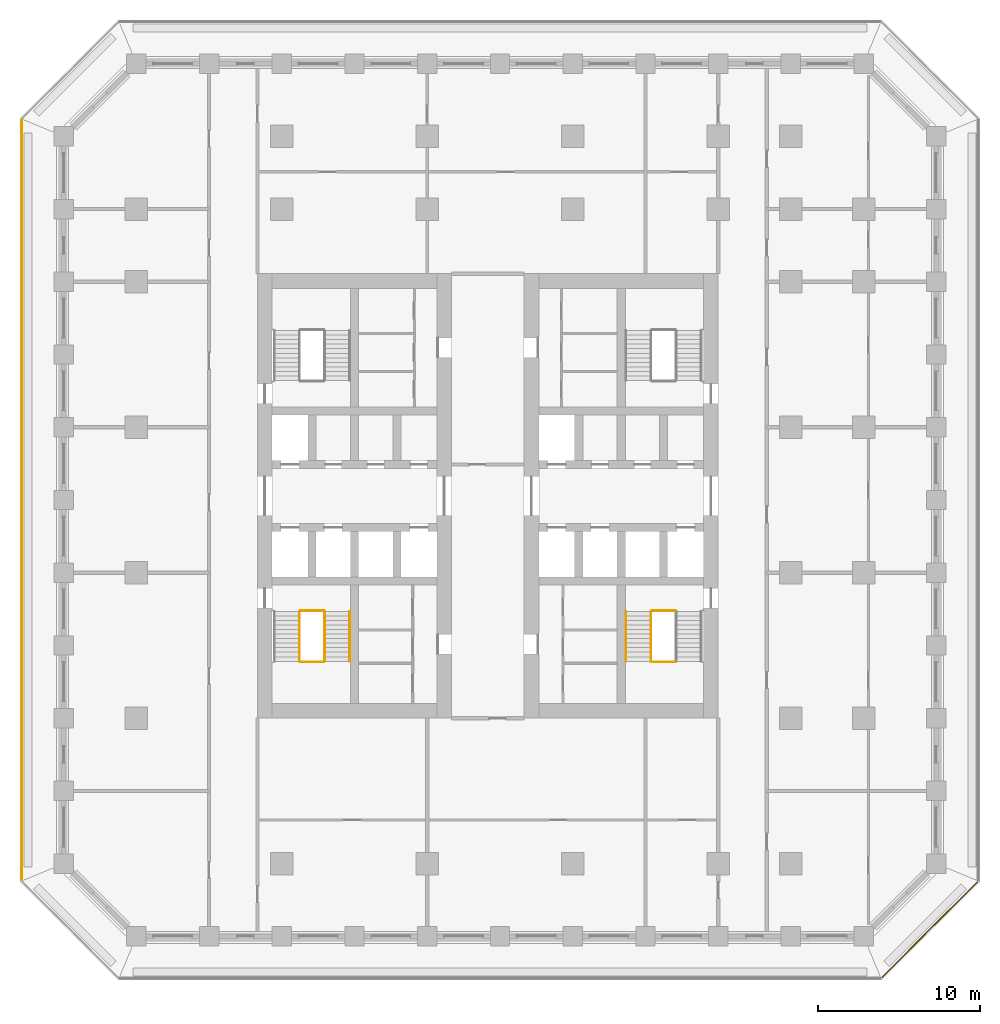
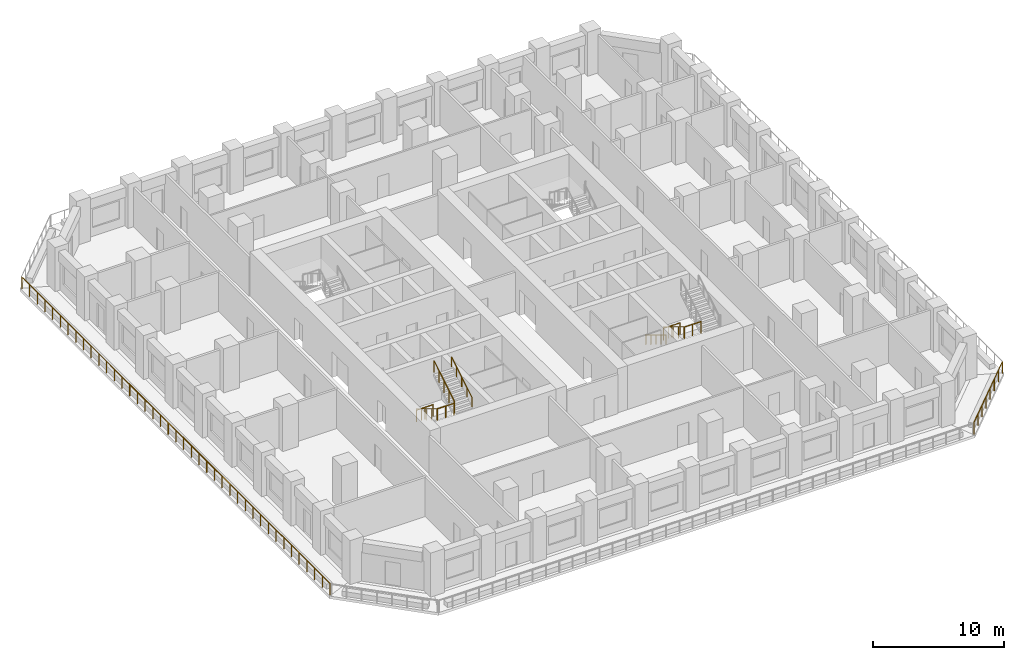
# One storey, part 11 of 17: 11 railings.
"""IFC4 building model written with IfcOpenShell, lengths in metres."""

import ifcopenshell
import ifcopenshell.guid

model = None  # the IFC model being written
_history = None  # IfcOwnerHistory: only IFC2X3 demands one
_inside = {}  # id of a spatial element -> (the spatial element, [elements in it])
_under = {}  # id of a project, library or spatial element -> (it, [spatial elements below it])
_declared = {}  # id of a project -> (the project, [libraries it declares])
_typed = {}  # id of a type object -> (the type object, [elements of that type])
_made_of = {}  # id of a material, layer set ... -> (it, [elements and type objects made of it])


def new_model(schema):
    """Start an empty IFC model of exactly this schema.

    Asked for "IFC4X3", IfcOpenShell would pick the latest addendum, in which some entities
    have other attributes; the version numbers below select the first issue.
    IFC2X3 requires an IfcOwnerHistory on every rooted entity: one is made here for all.
    """
    global model, _history
    if schema == "IFC4X3":
        model = ifcopenshell.file(schema_version=(4, 3, 0, 0))
    else:
        model = ifcopenshell.file(schema=schema)
    _inside.clear()
    _under.clear()
    _declared.clear()
    _typed.clear()
    _made_of.clear()
    _history = None
    if model.schema == "IFC2X3":
        org = make("IfcOrganization", Name="unknown")
        user = make(
            "IfcPersonAndOrganization",
            ThePerson=make("IfcPerson", FamilyName="unknown"),
            TheOrganization=org,
        )
        app = make(
            "IfcApplication",
            ApplicationDeveloper=org,
            Version="unknown",
            ApplicationFullName="unknown",
            ApplicationIdentifier="unknown",
        )
        _history = make(
            "IfcOwnerHistory",
            OwningUser=user,
            OwningApplication=app,
            ChangeAction="ADDED",
            CreationDate=0,
        )
    return model


def make(cls, **values):
    """One entity of the class cls with the attributes given. An attribute that is None is left unset."""
    return model.create_entity(
        cls, **{name: value for name, value in values.items() if value is not None}
    )


def rooted(cls, **values):
    """An entity with a GlobalId (a new one), such as an element, a storey or a relation."""
    return make(cls, GlobalId=ifcopenshell.guid.new(), OwnerHistory=_history, **values)


def si_unit(unit_type, name, prefix=None):
    """IfcSIUnit, for example si_unit("LENGTHUNIT", "METRE", prefix="MILLI")."""
    return make("IfcSIUnit", UnitType=unit_type, Prefix=prefix, Name=name)


def assignment(units):
    """IfcUnitAssignment: the units of a project."""
    return None if units is None else make("IfcUnitAssignment", Units=units)


def point(xyz):
    """IfcCartesianPoint."""
    return None if xyz is None else make("IfcCartesianPoint", Coordinates=xyz)


def direction(xyz):
    """IfcDirection."""
    return None if xyz is None else make("IfcDirection", DirectionRatios=xyz)


def frame(location, z_axis=None, x_axis=None):
    """IfcAxis2Placement3D, a coordinate frame: its origin and axes. An axis left out is left unset."""
    return make(
        "IfcAxis2Placement3D",
        Location=point(location),
        Axis=direction(z_axis),
        RefDirection=direction(x_axis),
    )


def frame_2d(location, x_axis=None):
    """IfcAxis2Placement2D, a coordinate frame in the plane: its origin and x axis."""
    return make(
        "IfcAxis2Placement2D", Location=point(location), RefDirection=direction(x_axis)
    )


def origin():
    """The frame at (0, 0, 0) with its axes left unset."""
    return frame((0.0, 0.0, 0.0))


def origin_2d():
    """The frame at (0, 0) in the plane with its x axis left unset."""
    return frame_2d((0.0, 0.0))


def place(relative_to, where):
    """IfcLocalPlacement: puts the frame where relative to a parent placement (None: the world)."""
    return make(
        "IfcLocalPlacement", PlacementRelTo=relative_to, RelativePlacement=where
    )


def context(
    kind, dimensions, precision=None, world=None, true_north=None, identifier=None
):
    """IfcGeometricRepresentationContext, for example the 3D "Model" context."""
    return make(
        "IfcGeometricRepresentationContext",
        ContextIdentifier=identifier,
        ContextType=kind,
        CoordinateSpaceDimension=dimensions,
        Precision=precision,
        WorldCoordinateSystem=world,
        TrueNorth=true_north,
    )


def subcontext(parent, identifier, kind, view, scale=None):
    """IfcGeometricRepresentationSubContext, for example "Body" below "Model"."""
    return make(
        "IfcGeometricRepresentationSubContext",
        ContextIdentifier=identifier,
        ContextType=kind,
        ParentContext=parent,
        TargetScale=scale,
        TargetView=view,
    )


def project(units=None, contexts=None):
    """IfcProject with its units and contexts."""
    return rooted(
        "IfcProject",
        Name="project",
        RepresentationContexts=contexts,
        UnitsInContext=assignment(units),
    )


def spatial(cls, under=None, at=None, **own):
    """A site, building, storey or space (cls), placed at a placement, below another one or the project."""
    s = rooted(cls, ObjectPlacement=at, **own)
    if under is not None:
        _under.setdefault(under.id(), (under, []))[1].append(s)
    return s


def profile(cls, at=None, kind="AREA", **sizes):
    """A parametric profile (cls). Its sizes go by their IFC names, for example OverallWidth=200.0."""
    return make(cls, ProfileType=kind, Position=at, **sizes)


def circle(**sizes):
    """IfcCircleProfileDef."""
    return profile("IfcCircleProfileDef", **sizes)


def extrude(swept, where, along, depth):
    """IfcExtrudedAreaSolid: the profile swept, set in the frame where, extruded along a direction by depth."""
    return make(
        "IfcExtrudedAreaSolid",
        SweptArea=swept,
        Position=where,
        ExtrudedDirection=direction(along),
        Depth=depth,
    )


def shape(context_of_items, identifier, shape_type, items):
    """IfcShapeRepresentation: the items that make up one representation, for example the "Body"."""
    return make(
        "IfcShapeRepresentation",
        ContextOfItems=context_of_items,
        RepresentationIdentifier=identifier,
        RepresentationType=shape_type,
        Items=items,
    )


def material(Name=None, Category=None):
    """IfcMaterial."""
    return make("IfcMaterial", Name=Name, Category=Category)


def made_of(thing, what):
    """Note that an element or type object is made of a material, layer set ...; save() writes the relation."""
    if what is not None:
        _made_of.setdefault(what.id(), (what, []))[1].append(thing)
    return thing


def type_object(cls, material=None, **own):
    """A type object (cls), such as IfcWallType, which elements share."""
    return made_of(rooted(cls, **own), material)


def element(
    cls,
    number,
    at=None,
    inside=None,
    cuts=None,
    type_object=None,
    material=None,
    context=None,
    identifier="Body",
    shape_type=None,
    held_by="IfcProductDefinitionShape",
    body=None,
    shapes=None,
    **own,
):
    """One element of the class cls, such as IfcWall. Its Tag is "e" and its number.

    at: its placement. inside: the storey or other place that contains it. cuts: it is an
    opening in that element (IfcRelVoidsElement). A single representation is given by context,
    identifier, shape_type and body (its items); several are given by shapes. held_by: the class
    of the entity that holds the representations. save() writes the other relations.
    """
    e = rooted(cls, Tag="e%d" % number, ObjectPlacement=at, **own)
    if body is not None:
        shapes = [shape(context, identifier, shape_type, body)]
    if shapes is not None:
        e.Representation = make(held_by, Representations=shapes)
    if inside is not None:
        _inside.setdefault(inside.id(), (inside, []))[1].append(e)
    if cuts is not None:
        rooted(
            "IfcRelVoidsElement", RelatingBuildingElement=cuts, RelatedOpeningElement=e
        )
    if type_object is not None:
        _typed.setdefault(type_object.id(), (type_object, []))[1].append(e)
    return made_of(e, material)


def aggregate(whole, parts):
    """IfcRelAggregates: a whole, such as a stair, and the parts it consists of."""
    return rooted("IfcRelAggregates", RelatingObject=whole, RelatedObjects=parts)


def save(model, path):
    """Write the relations noted so far, then the file.

    IfcRelAggregates (storeys below a building ...), IfcRelContainedInSpatialStructure (elements
    in a storey), IfcRelDefinesByType, IfcRelAssociatesMaterial and IfcRelDeclares: one each for
    every whole, place, type object, material and project.
    """
    for whole, parts in _under.values():
        aggregate(whole, parts)
    for where, things in _inside.values():
        rooted(
            "IfcRelContainedInSpatialStructure",
            RelatedElements=things,
            RelatingStructure=where,
        )
    for kind, things in _typed.values():
        rooted("IfcRelDefinesByType", RelatedObjects=things, RelatingType=kind)
    for what, things in _made_of.values():
        rooted("IfcRelAssociatesMaterial", RelatedObjects=things, RelatingMaterial=what)
    for by, libraries in _declared.values():
        rooted("IfcRelDeclares", RelatingContext=by, RelatedDefinitions=libraries)
    model.write(path)


model = new_model("IFC4")

# Units and contexts
model_context = context("Model", 3, precision=1e-05, world=origin(), true_north=direction((0.0, 1.0)))
body_context = subcontext(model_context, "Body", "Model", "MODEL_VIEW")
ifc_project = project(units=[si_unit("LENGTHUNIT", "METRE"), si_unit("AREAUNIT", "SQUARE_METRE"), si_unit("VOLUMEUNIT", "CUBIC_METRE"), si_unit("PLANEANGLEUNIT", "RADIAN"), si_unit("MASSUNIT", "GRAM", prefix="KILO")], contexts=[model_context])

# Site, building, storey
site_placement = place(None, origin())
site = spatial("IfcSite", under=ifc_project, at=site_placement, CompositionType="ELEMENT")
building_placement = place(site_placement, origin())
building = spatial("IfcBuilding", under=site, at=building_placement, Name="Corbel Stack Research Tower", CompositionType="ELEMENT")
storey_placement = place(building_placement, frame((0.0, 0.0, 94.300048828125)))
storey = spatial("IfcBuildingStorey", under=building, at=storey_placement, Name="L21", CompositionType="ELEMENT", Elevation=94.300048828125)

# Railings
ifc_material_1 = material(Name="Steel S355", Category="steel")
railing_type_1 = type_object("IfcRailingType", Name="Stair guard 1100", PredefinedType="GUARDRAIL", material=ifc_material_1)
railing_1_placement = place(storey_placement, frame((-7.89990234375, -2.39990234375, 0.1708984375)))
element("IfcRailing", 1, at=railing_1_placement, inside=storey, type_object=railing_type_1, Name="L21 ST-W1 stair guard 1", PredefinedType="GUARDRAIL", context=body_context, shape_type="SweptSolid", body=[
    extrude(circle(Radius=0.02392578125, at=origin_2d()), frame((0.0, 0.0, 1.076171875), z_axis=(0.0, -0.853666305674, 0.52082035152), x_axis=(1.0, 0.0, 0.0)), (0.0, 0.0, 1.0), 3.608154296875),
    extrude(circle(Radius=0.02099609375, at=origin_2d()), origin(), (0.0, 0.0, 1.0), 1.052001953125),
    extrude(circle(Radius=0.02099609375, at=origin_2d()), frame((0.0, -0.77001953125, 0.4697265625)), (0.0, 0.0, 1.0), 1.052001953125),
    extrude(circle(Radius=0.02099609375, at=origin_2d()), frame((0.0, -1.5400390625, 0.939453125)), (0.0, 0.0, 1.0), 1.052001953125),
    extrude(circle(Radius=0.02099609375, at=origin_2d()), frame((0.0, -2.31005859375, 1.409423828125)), (0.0, 0.0, 1.0), 1.052001953125),
    extrude(circle(Radius=0.02099609375, at=origin_2d()), frame((0.0, -3.080078125, 1.879150390625)), (0.0, 0.0, 1.0), 1.052001953125),
])
railing_2_placement = place(storey_placement, frame((-7.85009765625, -5.530029296875, 2.050048828125)))
element("IfcRailing", 2, at=railing_2_placement, inside=storey, type_object=railing_type_1, Name="L21 ST-W1 stair guard 2", PredefinedType="GUARDRAIL", context=body_context, shape_type="SweptSolid", body=[
    extrude(circle(Radius=0.02392578125, at=origin_2d()), frame((0.0, 0.0, 1.076171875), z_axis=(1.0, 0.0, 0.0), x_axis=(0.0, 1.0, 0.0)), (0.0, 0.0, 1.0), 1.4501953125),
    extrude(circle(Radius=0.02099609375, at=origin_2d()), origin(), (0.0, 0.0, 1.0), 1.052001953125),
    extrude(circle(Radius=0.02099609375, at=origin_2d()), frame((0.72509765625, 0.0, 0.0)), (0.0, 0.0, 1.0), 1.052001953125),
    extrude(circle(Radius=0.02099609375, at=origin_2d()), frame((1.4501953125, 0.0, 0.0)), (0.0, 0.0, 1.0), 1.052001953125),
])
railing_3_placement = place(storey_placement, frame((-6.35009765625, -5.47998046875, 2.220703125)))
element("IfcRailing", 3, at=railing_3_placement, inside=storey, type_object=railing_type_1, Name="L21 ST-W1 stair guard 4", PredefinedType="GUARDRAIL", context=body_context, shape_type="SweptSolid", body=[
    extrude(circle(Radius=0.02392578125, at=origin_2d()), frame((0.0, 0.0, 1.076171875), z_axis=(0.0, 0.853666305674, 0.52082035152), x_axis=(-1.0, 0.0, 0.0)), (0.0, 0.0, 1.0), 3.608154296875),
    extrude(circle(Radius=0.02099609375, at=origin_2d()), origin(), (0.0, 0.0, 1.0), 1.052001953125),
    extrude(circle(Radius=0.02099609375, at=origin_2d()), frame((0.0, 0.77001953125, 0.4697265625)), (0.0, 0.0, 1.0), 1.052001953125),
    extrude(circle(Radius=0.02099609375, at=origin_2d()), frame((0.0, 1.5400390625, 0.939453125)), (0.0, 0.0, 1.0), 1.052001953125),
    extrude(circle(Radius=0.02099609375, at=origin_2d()), frame((0.0, 2.31005859375, 1.409423828125)), (0.0, 0.0, 1.0), 1.052001953125),
    extrude(circle(Radius=0.02099609375, at=origin_2d()), frame((0.0, 3.080078125, 1.879150390625)), (0.0, 0.0, 1.0), 1.052001953125),
])
railing_4_placement = place(storey_placement, frame((-7.85009765625, -2.35009765625, 0.0)))
element("IfcRailing", 4, at=railing_4_placement, inside=storey, type_object=railing_type_1, Name="L21 ST-W1 stair guard 5", PredefinedType="GUARDRAIL", context=body_context, shape_type="SweptSolid", body=[
    extrude(circle(Radius=0.02392578125, at=origin_2d()), frame((0.0, 0.0, 1.076171875), z_axis=(1.0, 0.0, 0.0), x_axis=(0.0, 1.0, 0.0)), (0.0, 0.0, 1.0), 1.4501953125),
    extrude(circle(Radius=0.02099609375, at=origin_2d()), origin(), (0.0, 0.0, 1.0), 1.052001953125),
    extrude(circle(Radius=0.02099609375, at=origin_2d()), frame((0.72509765625, 0.0, 0.0)), (0.0, 0.0, 1.0), 1.052001953125),
    extrude(circle(Radius=0.02099609375, at=origin_2d()), frame((1.4501953125, 0.0, 0.0)), (0.0, 0.0, 1.0), 1.052001953125),
])
railing_5_placement = place(storey_placement, frame((13.85009765625, -2.39990234375, 0.1708984375)))
element("IfcRailing", 5, at=railing_5_placement, inside=storey, type_object=railing_type_1, Name="L21 ST-E1 stair guard 1", PredefinedType="GUARDRAIL", context=body_context, shape_type="SweptSolid", body=[
    extrude(circle(Radius=0.02392578125, at=origin_2d()), frame((0.0, 0.0, 1.076171875), z_axis=(0.0, -0.853666305674, 0.52082035152), x_axis=(1.0, 0.0, 0.0)), (0.0, 0.0, 1.0), 3.608154296875),
    extrude(circle(Radius=0.02099609375, at=origin_2d()), origin(), (0.0, 0.0, 1.0), 1.052001953125),
    extrude(circle(Radius=0.02099609375, at=origin_2d()), frame((0.0, -0.77001953125, 0.4697265625)), (0.0, 0.0, 1.0), 1.052001953125),
    extrude(circle(Radius=0.02099609375, at=origin_2d()), frame((0.0, -1.5400390625, 0.939453125)), (0.0, 0.0, 1.0), 1.052001953125),
    extrude(circle(Radius=0.02099609375, at=origin_2d()), frame((0.0, -2.31005859375, 1.409423828125)), (0.0, 0.0, 1.0), 1.052001953125),
    extrude(circle(Radius=0.02099609375, at=origin_2d()), frame((0.0, -3.080078125, 1.879150390625)), (0.0, 0.0, 1.0), 1.052001953125),
])
for number, where, name in (
    (6, (13.89990234375, -5.530029296875, 2.050048828125), "L21 ST-E1 stair guard 2"),
    (7, (13.89990234375, -2.35009765625, 0.0), "L21 ST-E1 stair guard 5"),
):
    element("IfcRailing", number, at=place(storey_placement, frame(where)), inside=storey, type_object=railing_type_1, Name=name, PredefinedType="GUARDRAIL", context=body_context, shape_type="SweptSolid", body=[
        extrude(circle(Radius=0.02392578125, at=origin_2d()), frame((0.0, 0.0, 1.076171875), z_axis=(1.0, 0.0, 0.0), x_axis=(0.0, 1.0, 0.0)), (0.0, 0.0, 1.0), 1.4501953125),
        extrude(circle(Radius=0.02099609375, at=origin_2d()), origin(), (0.0, 0.0, 1.0), 1.052001953125),
        extrude(circle(Radius=0.02099609375, at=origin_2d()), frame((0.72509765625, 0.0, 0.0)), (0.0, 0.0, 1.0), 1.052001953125),
        extrude(circle(Radius=0.02099609375, at=origin_2d()), frame((1.4501953125, 0.0, 0.0)), (0.0, 0.0, 1.0), 1.052001953125),
    ])
ifc_material_2 = material(Name="Steel S355", Category="steel")
railing_type_2 = type_object("IfcRailingType", Name="Stair handrail 900", PredefinedType="HANDRAIL", material=ifc_material_2)
railing_6_placement = place(storey_placement, frame((-4.800048828125, -5.47998046875, 2.220703125)))
element("IfcRailing", 8, at=railing_6_placement, inside=storey, type_object=railing_type_2, Name="L21 ST-W1 stair handrail 2", PredefinedType="HANDRAIL", context=body_context, shape_type="SweptSolid", body=[
    extrude(circle(Radius=0.02392578125, at=origin_2d()), frame((0.0, 0.0, 0.8759765625), z_axis=(0.0, 0.853666305674, 0.52082035152), x_axis=(-1.0, 0.0, 0.0)), (0.0, 0.0, 1.0), 3.608154296875),
    extrude(circle(Radius=0.02099609375, at=origin_2d()), origin(), (0.0, 0.0, 1.0), 0.851806640625),
    extrude(circle(Radius=0.02099609375, at=origin_2d()), frame((0.0, 0.77001953125, 0.4697265625)), (0.0, 0.0, 1.0), 0.851806640625),
    extrude(circle(Radius=0.02099609375, at=origin_2d()), frame((0.0, 1.5400390625, 0.939453125)), (0.0, 0.0, 1.0), 0.851806640625),
    extrude(circle(Radius=0.02099609375, at=origin_2d()), frame((0.0, 2.31005859375, 1.409423828125)), (0.0, 0.0, 1.0), 0.851806640625),
    extrude(circle(Radius=0.02099609375, at=origin_2d()), frame((0.0, 3.080078125, 1.879150390625)), (0.0, 0.0, 1.0), 0.851806640625),
])
railing_7_placement = place(storey_placement, frame((12.300048828125, -2.39990234375, 0.1708984375)))
element("IfcRailing", 9, at=railing_7_placement, inside=storey, type_object=railing_type_2, Name="L21 ST-E1 stair handrail 1", PredefinedType="HANDRAIL", context=body_context, shape_type="SweptSolid", body=[
    extrude(circle(Radius=0.02392578125, at=origin_2d()), frame((0.0, 0.0, 0.8759765625), z_axis=(0.0, -0.853666305674, 0.52082035152), x_axis=(1.0, 0.0, 0.0)), (0.0, 0.0, 1.0), 3.608154296875),
    extrude(circle(Radius=0.02099609375, at=origin_2d()), origin(), (0.0, 0.0, 1.0), 0.851806640625),
    extrude(circle(Radius=0.02099609375, at=origin_2d()), frame((0.0, -0.77001953125, 0.4697265625)), (0.0, 0.0, 1.0), 0.851806640625),
    extrude(circle(Radius=0.02099609375, at=origin_2d()), frame((0.0, -1.5400390625, 0.939453125)), (0.0, 0.0, 1.0), 0.851806640625),
    extrude(circle(Radius=0.02099609375, at=origin_2d()), frame((0.0, -2.31005859375, 1.409423828125)), (0.0, 0.0, 1.0), 0.851806640625),
    extrude(circle(Radius=0.02099609375, at=origin_2d()), frame((0.0, -3.080078125, 1.879150390625)), (0.0, 0.0, 1.0), 0.851806640625),
])
ifc_material_3 = material(Name="Powder-coated steel guard", Category="steel")
railing_type_3 = type_object("IfcRailingType", Name="Steel and glass guard 1100", PredefinedType="GUARDRAIL", material=ifc_material_3)
railing_8_placement = place(storey_placement, frame((28.127685546875, -25.04931640625, 0.0)))
element("IfcRailing", 10, at=railing_8_placement, inside=storey, type_object=railing_type_3, Name="Loggia guard L21 SE", PredefinedType="GUARDRAIL", context=body_context, shape_type="SweptSolid", body=[
    extrude(circle(Radius=0.02392578125, at=origin_2d()), frame((0.0, 0.0, 1.076171875), z_axis=(0.707106781187, 0.707106781187, 0.0), x_axis=(-0.707106781187, 0.707106781187, 0.0)), (0.0, 0.0, 1.0), 8.37451171875),
    extrude(circle(Radius=0.02099609375, at=origin_2d()), origin(), (0.0, 0.0, 1.0), 1.052001953125),
    extrude(circle(Radius=0.02099609375, at=origin_2d()), frame((0.845947265625, 0.845947265625, 0.0)), (0.0, 0.0, 1.0), 1.052001953125),
    extrude(circle(Radius=0.02099609375, at=origin_2d()), frame((1.69189453125, 1.69189453125, 0.0)), (0.0, 0.0, 1.0), 1.052001953125),
    extrude(circle(Radius=0.02099609375, at=origin_2d()), frame((2.537841796875, 2.537841796875, 0.0)), (0.0, 0.0, 1.0), 1.052001953125),
    extrude(circle(Radius=0.02099609375, at=origin_2d()), frame((3.3837890625, 3.3837890625, 0.0)), (0.0, 0.0, 1.0), 1.052001953125),
    extrude(circle(Radius=0.02099609375, at=origin_2d()), frame((4.229736328125, 4.229736328125, 0.0)), (0.0, 0.0, 1.0), 1.052001953125),
    extrude(circle(Radius=0.02099609375, at=origin_2d()), frame((5.07568359375, 5.07568359375, 0.0)), (0.0, 0.0, 1.0), 1.052001953125),
    extrude(circle(Radius=0.02099609375, at=origin_2d()), frame((5.921630859375, 5.921630859375, 0.0)), (0.0, 0.0, 1.0), 1.052001953125),
])
railing_9_placement = place(storey_placement, frame((-25.10009765625, 28.00537109375, 0.0)))
element("IfcRailing", 11, at=railing_9_placement, inside=storey, type_object=railing_type_3, Name="Loggia guard L21 W", PredefinedType="GUARDRAIL", context=body_context, shape_type="SweptSolid", body=[
    extrude(circle(Radius=0.02392578125, at=origin_2d()), frame((0.0, 0.0, 1.076171875), z_axis=(0.0, -1.0, 0.0), x_axis=(1.0, 0.0, 0.0)), (0.0, 0.0, 1.0), 47.0107421875),
    extrude(circle(Radius=0.02099609375, at=origin_2d()), origin(), (0.0, 0.0, 1.0), 1.052001953125),
    extrude(circle(Radius=0.02099609375, at=origin_2d()), frame((0.0, -1.17529296875, 0.0)), (0.0, 0.0, 1.0), 1.052001953125),
    extrude(circle(Radius=0.02099609375, at=origin_2d()), frame((0.0, -2.3505859375, 0.0)), (0.0, 0.0, 1.0), 1.052001953125),
    extrude(circle(Radius=0.02099609375, at=origin_2d()), frame((0.0, -3.52587890625, 0.0)), (0.0, 0.0, 1.0), 1.052001953125),
    extrude(circle(Radius=0.02099609375, at=origin_2d()), frame((0.0, -4.701171875, 0.0)), (0.0, 0.0, 1.0), 1.052001953125),
    extrude(circle(Radius=0.02099609375, at=origin_2d()), frame((0.0, -5.87646484375, 0.0)), (0.0, 0.0, 1.0), 1.052001953125),
    extrude(circle(Radius=0.02099609375, at=origin_2d()), frame((0.0, -7.051513671875, 0.0)), (0.0, 0.0, 1.0), 1.052001953125),
    extrude(circle(Radius=0.02099609375, at=origin_2d()), frame((0.0, -8.226806640625, 0.0)), (0.0, 0.0, 1.0), 1.052001953125),
    extrude(circle(Radius=0.02099609375, at=origin_2d()), frame((0.0, -9.402099609375, 0.0)), (0.0, 0.0, 1.0), 1.052001953125),
    extrude(circle(Radius=0.02099609375, at=origin_2d()), frame((0.0, -10.577392578125, 0.0)), (0.0, 0.0, 1.0), 1.052001953125),
    extrude(circle(Radius=0.02099609375, at=origin_2d()), frame((0.0, -11.752685546875, 0.0)), (0.0, 0.0, 1.0), 1.052001953125),
    extrude(circle(Radius=0.02099609375, at=origin_2d()), frame((0.0, -12.927978515625, 0.0)), (0.0, 0.0, 1.0), 1.052001953125),
    extrude(circle(Radius=0.02099609375, at=origin_2d()), frame((0.0, -14.103271484375, 0.0)), (0.0, 0.0, 1.0), 1.052001953125),
    extrude(circle(Radius=0.02099609375, at=origin_2d()), frame((0.0, -15.278564453125, 0.0)), (0.0, 0.0, 1.0), 1.052001953125),
    extrude(circle(Radius=0.02099609375, at=origin_2d()), frame((0.0, -16.453857421875, 0.0)), (0.0, 0.0, 1.0), 1.052001953125),
    extrude(circle(Radius=0.02099609375, at=origin_2d()), frame((0.0, -17.62890625, 0.0)), (0.0, 0.0, 1.0), 1.052001953125),
    extrude(circle(Radius=0.02099609375, at=origin_2d()), frame((0.0, -18.80419921875, 0.0)), (0.0, 0.0, 1.0), 1.052001953125),
    extrude(circle(Radius=0.02099609375, at=origin_2d()), frame((0.0, -19.9794921875, 0.0)), (0.0, 0.0, 1.0), 1.052001953125),
    extrude(circle(Radius=0.02099609375, at=origin_2d()), frame((0.0, -21.15478515625, 0.0)), (0.0, 0.0, 1.0), 1.052001953125),
    extrude(circle(Radius=0.02099609375, at=origin_2d()), frame((0.0, -22.330078125, 0.0)), (0.0, 0.0, 1.0), 1.052001953125),
    extrude(circle(Radius=0.02099609375, at=origin_2d()), frame((0.0, -23.50537109375, 0.0)), (0.0, 0.0, 1.0), 1.052001953125),
    extrude(circle(Radius=0.02099609375, at=origin_2d()), frame((0.0, -24.6806640625, 0.0)), (0.0, 0.0, 1.0), 1.052001953125),
    extrude(circle(Radius=0.02099609375, at=origin_2d()), frame((0.0, -25.85595703125, 0.0)), (0.0, 0.0, 1.0), 1.052001953125),
    extrude(circle(Radius=0.02099609375, at=origin_2d()), frame((0.0, -27.03125, 0.0)), (0.0, 0.0, 1.0), 1.052001953125),
    extrude(circle(Radius=0.02099609375, at=origin_2d()), frame((0.0, -28.20654296875, 0.0)), (0.0, 0.0, 1.0), 1.052001953125),
    extrude(circle(Radius=0.02099609375, at=origin_2d()), frame((0.0, -29.3818359375, 0.0)), (0.0, 0.0, 1.0), 1.052001953125),
    extrude(circle(Radius=0.02099609375, at=origin_2d()), frame((0.0, -30.556884765625, 0.0)), (0.0, 0.0, 1.0), 1.052001953125),
    extrude(circle(Radius=0.02099609375, at=origin_2d()), frame((0.0, -31.732177734375, 0.0)), (0.0, 0.0, 1.0), 1.052001953125),
    extrude(circle(Radius=0.02099609375, at=origin_2d()), frame((0.0, -32.907470703125, 0.0)), (0.0, 0.0, 1.0), 1.052001953125),
    extrude(circle(Radius=0.02099609375, at=origin_2d()), frame((0.0, -34.082763671875, 0.0)), (0.0, 0.0, 1.0), 1.052001953125),
    extrude(circle(Radius=0.02099609375, at=origin_2d()), frame((0.0, -35.258056640625, 0.0)), (0.0, 0.0, 1.0), 1.052001953125),
    extrude(circle(Radius=0.02099609375, at=origin_2d()), frame((0.0, -36.433349609375, 0.0)), (0.0, 0.0, 1.0), 1.052001953125),
    extrude(circle(Radius=0.02099609375, at=origin_2d()), frame((0.0, -37.608642578125, 0.0)), (0.0, 0.0, 1.0), 1.052001953125),
    extrude(circle(Radius=0.02099609375, at=origin_2d()), frame((0.0, -38.783935546875, 0.0)), (0.0, 0.0, 1.0), 1.052001953125),
    extrude(circle(Radius=0.02099609375, at=origin_2d()), frame((0.0, -39.959228515625, 0.0)), (0.0, 0.0, 1.0), 1.052001953125),
    extrude(circle(Radius=0.02099609375, at=origin_2d()), frame((0.0, -41.13427734375, 0.0)), (0.0, 0.0, 1.0), 1.052001953125),
    extrude(circle(Radius=0.02099609375, at=origin_2d()), frame((0.0, -42.3095703125, 0.0)), (0.0, 0.0, 1.0), 1.052001953125),
    extrude(circle(Radius=0.02099609375, at=origin_2d()), frame((0.0, -43.48486328125, 0.0)), (0.0, 0.0, 1.0), 1.052001953125),
    extrude(circle(Radius=0.02099609375, at=origin_2d()), frame((0.0, -44.66015625, 0.0)), (0.0, 0.0, 1.0), 1.052001953125),
    extrude(circle(Radius=0.02099609375, at=origin_2d()), frame((0.0, -45.83544921875, 0.0)), (0.0, 0.0, 1.0), 1.052001953125),
    extrude(circle(Radius=0.02099609375, at=origin_2d()), frame((0.0, -47.0107421875, 0.0)), (0.0, 0.0, 1.0), 1.052001953125),
])

save(model, "model.ifc")
